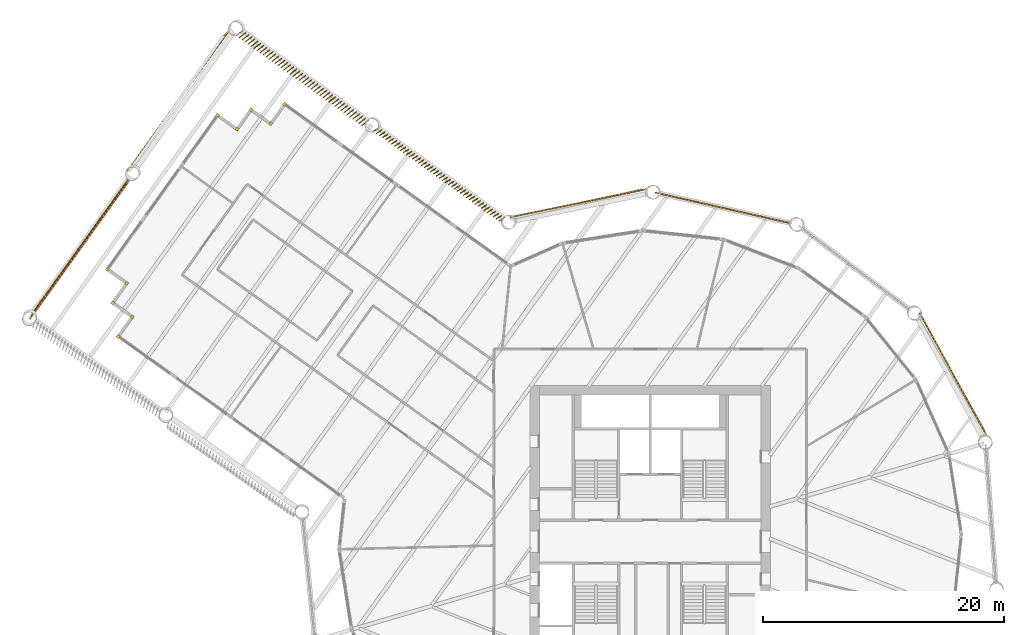
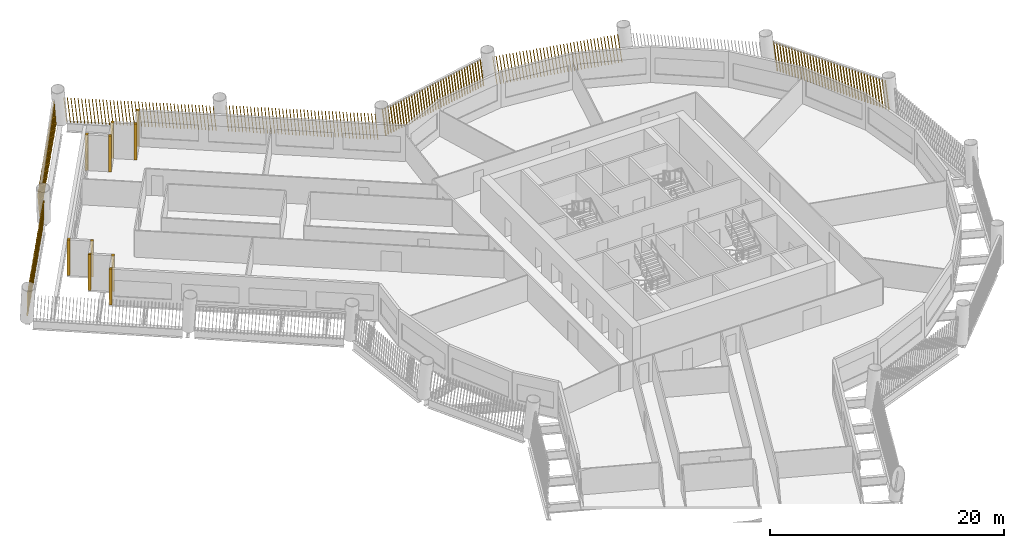
# One storey, part 15 of 17: 17 shading devices.
"""IFC4 building model written with IfcOpenShell, lengths in metres."""

from ifc_helpers import new_model, si_unit, direction, frame, frame_2d, origin, origin_2d, place, context, subcontext, project, spatial, rectangle, composite_profile, extrude, material, type_object, element, save


model = new_model("IFC4")

# Units and contexts
model_context = context("Model", 3, precision=1e-05, world=origin(), true_north=direction((0.0, 1.0)))
body_context = subcontext(model_context, "Body", "Model", "MODEL_VIEW")
ifc_project = project(units=[si_unit("LENGTHUNIT", "METRE"), si_unit("AREAUNIT", "SQUARE_METRE"), si_unit("VOLUMEUNIT", "CUBIC_METRE"), si_unit("PLANEANGLEUNIT", "RADIAN"), si_unit("MASSUNIT", "GRAM", prefix="KILO")], contexts=[model_context])

# Site, building, storey
site_placement = place(None, origin())
site = spatial("IfcSite", under=ifc_project, at=site_placement, CompositionType="ELEMENT")
building_placement = place(site_placement, origin())
building = spatial("IfcBuilding", under=site, at=building_placement, Name="Tarsis Ring Headquarters", CompositionType="ELEMENT")
storey_placement = place(building_placement, frame((0.0, 0.0, 127.89990234375)))
storey = spatial("IfcBuildingStorey", under=building, at=storey_placement, Name="L29", CompositionType="ELEMENT", Elevation=127.89990234375)

# Shading devices
ifc_material = material(Name="Terracotta baguette", Category="masonry")
shading_device_type_1 = type_object("IfcShadingDeviceType", Name="Terracotta baguette screen", PredefinedType="USERDEFINED", material=ifc_material)
shading_device_1_placement = place(storey_placement, frame((27.9599609375, 8.810302734375, 0.0), z_axis=(0.0, 0.0, 1.0), x_axis=(-0.477959848074, 0.878393922952, 0.0)))
element("IfcShadingDevice", 1, at=shading_device_1_placement, inside=storey, type_object=shading_device_type_1, Name="Baguette screen L29-11", ObjectType="Terracotta baguette screen", PredefinedType="USERDEFINED", context=body_context, shape_type="SweptSolid", body=[
    extrude(composite_profile([rectangle(XDim=0.06005859375, YDim=0.1201171875, at=frame_2d((0.030029296875, 0.0))), rectangle(XDim=0.06005859375, YDim=0.1201171875, at=frame_2d((0.33251953125, 0.0))), rectangle(XDim=0.06005859375, YDim=0.1201171875, at=frame_2d((0.634765625, 0.0))), rectangle(XDim=0.06005859375, YDim=0.1201171875, at=frame_2d((0.937255859375, 0.0))), rectangle(XDim=0.06005859375, YDim=0.1201171875, at=frame_2d((1.239501953125, 0.0))), rectangle(XDim=0.06005859375, YDim=0.1201171875, at=frame_2d((1.5419921875, 0.0))), rectangle(XDim=0.06005859375, YDim=0.1201171875, at=frame_2d((1.844482421875, 0.0))), rectangle(XDim=0.06005859375, YDim=0.1201171875, at=frame_2d((2.146728515625, 0.0))), rectangle(XDim=0.06005859375, YDim=0.1201171875, at=frame_2d((2.44921875, 0.0))), rectangle(XDim=0.06005859375, YDim=0.1201171875, at=frame_2d((2.751708984375, 0.0))), rectangle(XDim=0.06005859375, YDim=0.1201171875, at=frame_2d((3.053955078125, 0.0))), rectangle(XDim=0.06005859375, YDim=0.1201171875, at=frame_2d((3.3564453125, 0.0))), rectangle(XDim=0.06005859375, YDim=0.1201171875, at=frame_2d((3.65869140625, 0.0))), rectangle(XDim=0.06005859375, YDim=0.1201171875, at=frame_2d((3.961181640625, 0.0))), rectangle(XDim=0.06005859375, YDim=0.1201171875, at=frame_2d((4.263671875, 0.0))), rectangle(XDim=0.06005859375, YDim=0.1201171875, at=frame_2d((4.56591796875, 0.0))), rectangle(XDim=0.06005859375, YDim=0.1201171875, at=frame_2d((4.868408203125, 0.0))), rectangle(XDim=0.06005859375, YDim=0.1201171875, at=frame_2d((5.1708984375, 0.0))), rectangle(XDim=0.06005859375, YDim=0.1201171875, at=frame_2d((5.47314453125, 0.0))), rectangle(XDim=0.06005859375, YDim=0.1201171875, at=frame_2d((5.775634765625, 0.0))), rectangle(XDim=0.06005859375, YDim=0.1201171875, at=frame_2d((6.077880859375, 0.0))), rectangle(XDim=0.06005859375, YDim=0.1201171875, at=frame_2d((6.38037109375, 0.0))), rectangle(XDim=0.06005859375, YDim=0.1201171875, at=frame_2d((6.682861328125, 0.0))), rectangle(XDim=0.06005859375, YDim=0.1201171875, at=frame_2d((6.985107421875, 0.0))), rectangle(XDim=0.06005859375, YDim=0.1201171875, at=frame_2d((7.28759765625, 0.0))), rectangle(XDim=0.06005859375, YDim=0.1201171875, at=frame_2d((7.590087890625, 0.0))), rectangle(XDim=0.06005859375, YDim=0.1201171875, at=frame_2d((7.892333984375, 0.0))), rectangle(XDim=0.06005859375, YDim=0.1201171875, at=frame_2d((8.19482421875, 0.0))), rectangle(XDim=0.06005859375, YDim=0.1201171875, at=frame_2d((8.4970703125, 0.0))), rectangle(XDim=0.06005859375, YDim=0.1201171875, at=frame_2d((8.799560546875, 0.0))), rectangle(XDim=0.06005859375, YDim=0.1201171875, at=frame_2d((9.10205078125, 0.0))), rectangle(XDim=0.06005859375, YDim=0.1201171875, at=frame_2d((9.404296875, 0.0))), rectangle(XDim=0.06005859375, YDim=0.1201171875, at=frame_2d((9.706787109375, 0.0))), rectangle(XDim=0.06005859375, YDim=0.1201171875, at=frame_2d((10.00927734375, 0.0))), rectangle(XDim=0.06005859375, YDim=0.1201171875, at=frame_2d((10.3115234375, 0.0))), rectangle(XDim=0.06005859375, YDim=0.1201171875, at=frame_2d((10.614013671875, 0.0))), rectangle(XDim=0.06005859375, YDim=0.1201171875, at=frame_2d((10.916259765625, 0.0))), rectangle(XDim=0.06005859375, YDim=0.1201171875, at=frame_2d((11.21875, 0.0)))]), origin(), (0.131496688857, 0.000893572743, 0.991316207044), 2.978515625),
])
shading_device_2_placement = place(storey_placement, frame((11.759033203125, 26.451171875, 0.0), z_axis=(0.0, 0.0, 1.0), x_axis=(-0.97527997222, 0.220939317649, 0.0)))
element("IfcShadingDevice", 2, at=shading_device_2_placement, inside=storey, type_object=shading_device_type_1, Name="Baguette screen L29-13", ObjectType="Terracotta baguette screen", PredefinedType="USERDEFINED", context=body_context, shape_type="SweptSolid", body=[
    extrude(composite_profile([rectangle(XDim=0.06005859375, YDim=0.1201171875, at=frame_2d((0.030029296875, 0.0))), rectangle(XDim=0.06005859375, YDim=0.1201171875, at=frame_2d((0.33251953125, 0.0))), rectangle(XDim=0.06005859375, YDim=0.1201171875, at=frame_2d((0.634765625, 0.0))), rectangle(XDim=0.06005859375, YDim=0.1201171875, at=frame_2d((0.937255859375, 0.0))), rectangle(XDim=0.06005859375, YDim=0.1201171875, at=frame_2d((1.239501953125, 0.0))), rectangle(XDim=0.06005859375, YDim=0.1201171875, at=frame_2d((1.5419921875, 0.0))), rectangle(XDim=0.06005859375, YDim=0.1201171875, at=frame_2d((1.844482421875, 0.0))), rectangle(XDim=0.06005859375, YDim=0.1201171875, at=frame_2d((2.146728515625, 0.0))), rectangle(XDim=0.06005859375, YDim=0.1201171875, at=frame_2d((2.44921875, 0.0))), rectangle(XDim=0.06005859375, YDim=0.1201171875, at=frame_2d((2.751708984375, 0.0))), rectangle(XDim=0.06005859375, YDim=0.1201171875, at=frame_2d((3.053955078125, 0.0))), rectangle(XDim=0.06005859375, YDim=0.1201171875, at=frame_2d((3.3564453125, 0.0))), rectangle(XDim=0.06005859375, YDim=0.1201171875, at=frame_2d((3.65869140625, 0.0))), rectangle(XDim=0.06005859375, YDim=0.1201171875, at=frame_2d((3.961181640625, 0.0))), rectangle(XDim=0.06005859375, YDim=0.1201171875, at=frame_2d((4.263671875, 0.0))), rectangle(XDim=0.06005859375, YDim=0.1201171875, at=frame_2d((4.56591796875, 0.0))), rectangle(XDim=0.06005859375, YDim=0.1201171875, at=frame_2d((4.868408203125, 0.0))), rectangle(XDim=0.06005859375, YDim=0.1201171875, at=frame_2d((5.1708984375, 0.0))), rectangle(XDim=0.06005859375, YDim=0.1201171875, at=frame_2d((5.47314453125, 0.0))), rectangle(XDim=0.06005859375, YDim=0.1201171875, at=frame_2d((5.775634765625, 0.0))), rectangle(XDim=0.06005859375, YDim=0.1201171875, at=frame_2d((6.077880859375, 0.0))), rectangle(XDim=0.06005859375, YDim=0.1201171875, at=frame_2d((6.38037109375, 0.0))), rectangle(XDim=0.06005859375, YDim=0.1201171875, at=frame_2d((6.682861328125, 0.0))), rectangle(XDim=0.06005859375, YDim=0.1201171875, at=frame_2d((6.985107421875, 0.0))), rectangle(XDim=0.06005859375, YDim=0.1201171875, at=frame_2d((7.28759765625, 0.0))), rectangle(XDim=0.06005859375, YDim=0.1201171875, at=frame_2d((7.590087890625, 0.0))), rectangle(XDim=0.06005859375, YDim=0.1201171875, at=frame_2d((7.892333984375, 0.0))), rectangle(XDim=0.06005859375, YDim=0.1201171875, at=frame_2d((8.19482421875, 0.0))), rectangle(XDim=0.06005859375, YDim=0.1201171875, at=frame_2d((8.4970703125, 0.0))), rectangle(XDim=0.06005859375, YDim=0.1201171875, at=frame_2d((8.799560546875, 0.0))), rectangle(XDim=0.06005859375, YDim=0.1201171875, at=frame_2d((9.10205078125, 0.0))), rectangle(XDim=0.06005859375, YDim=0.1201171875, at=frame_2d((9.404296875, 0.0))), rectangle(XDim=0.06005859375, YDim=0.1201171875, at=frame_2d((9.706787109375, 0.0))), rectangle(XDim=0.06005859375, YDim=0.1201171875, at=frame_2d((10.00927734375, 0.0))), rectangle(XDim=0.06005859375, YDim=0.1201171875, at=frame_2d((10.3115234375, 0.0))), rectangle(XDim=0.06005859375, YDim=0.1201171875, at=frame_2d((10.614013671875, 0.0))), rectangle(XDim=0.06005859375, YDim=0.1201171875, at=frame_2d((10.916259765625, 0.0))), rectangle(XDim=0.06005859375, YDim=0.1201171875, at=frame_2d((11.21875, 0.0)))]), origin(), (0.12980910908, 0.000884675992, 0.991538608703), 2.977783203125),
])
shading_device_3_placement = place(storey_placement, frame((-0.2646484375, 29.31396484375, 0.0), z_axis=(0.0, 0.0, 1.0), x_axis=(-0.979642330063, -0.20071186735, 0.0)))
element("IfcShadingDevice", 3, at=shading_device_3_placement, inside=storey, type_object=shading_device_type_1, Name="Baguette screen L29-14", ObjectType="Terracotta baguette screen", PredefinedType="USERDEFINED", context=body_context, shape_type="SweptSolid", body=[
    extrude(composite_profile([rectangle(XDim=0.06005859375, YDim=0.1201171875, at=frame_2d((0.030029296875, 0.0))), rectangle(XDim=0.06005859375, YDim=0.1201171875, at=frame_2d((0.33251953125, 0.0))), rectangle(XDim=0.06005859375, YDim=0.1201171875, at=frame_2d((0.634765625, 0.0))), rectangle(XDim=0.06005859375, YDim=0.1201171875, at=frame_2d((0.937255859375, 0.0))), rectangle(XDim=0.06005859375, YDim=0.1201171875, at=frame_2d((1.239501953125, 0.0))), rectangle(XDim=0.06005859375, YDim=0.1201171875, at=frame_2d((1.5419921875, 0.0))), rectangle(XDim=0.06005859375, YDim=0.1201171875, at=frame_2d((1.844482421875, 0.0))), rectangle(XDim=0.06005859375, YDim=0.1201171875, at=frame_2d((2.146728515625, 0.0))), rectangle(XDim=0.06005859375, YDim=0.1201171875, at=frame_2d((2.44921875, 0.0))), rectangle(XDim=0.06005859375, YDim=0.1201171875, at=frame_2d((2.751708984375, 0.0))), rectangle(XDim=0.06005859375, YDim=0.1201171875, at=frame_2d((3.053955078125, 0.0))), rectangle(XDim=0.06005859375, YDim=0.1201171875, at=frame_2d((3.3564453125, 0.0))), rectangle(XDim=0.06005859375, YDim=0.1201171875, at=frame_2d((3.65869140625, 0.0))), rectangle(XDim=0.06005859375, YDim=0.1201171875, at=frame_2d((3.961181640625, 0.0))), rectangle(XDim=0.06005859375, YDim=0.1201171875, at=frame_2d((4.263671875, 0.0))), rectangle(XDim=0.06005859375, YDim=0.1201171875, at=frame_2d((4.56591796875, 0.0))), rectangle(XDim=0.06005859375, YDim=0.1201171875, at=frame_2d((4.868408203125, 0.0))), rectangle(XDim=0.06005859375, YDim=0.1201171875, at=frame_2d((5.1708984375, 0.0))), rectangle(XDim=0.06005859375, YDim=0.1201171875, at=frame_2d((5.47314453125, 0.0))), rectangle(XDim=0.06005859375, YDim=0.1201171875, at=frame_2d((5.775634765625, 0.0))), rectangle(XDim=0.06005859375, YDim=0.1201171875, at=frame_2d((6.077880859375, 0.0))), rectangle(XDim=0.06005859375, YDim=0.1201171875, at=frame_2d((6.38037109375, 0.0))), rectangle(XDim=0.06005859375, YDim=0.1201171875, at=frame_2d((6.682861328125, 0.0))), rectangle(XDim=0.06005859375, YDim=0.1201171875, at=frame_2d((6.985107421875, 0.0))), rectangle(XDim=0.06005859375, YDim=0.1201171875, at=frame_2d((7.28759765625, 0.0))), rectangle(XDim=0.06005859375, YDim=0.1201171875, at=frame_2d((7.590087890625, 0.0))), rectangle(XDim=0.06005859375, YDim=0.1201171875, at=frame_2d((7.892333984375, 0.0))), rectangle(XDim=0.06005859375, YDim=0.1201171875, at=frame_2d((8.19482421875, 0.0))), rectangle(XDim=0.06005859375, YDim=0.1201171875, at=frame_2d((8.4970703125, 0.0))), rectangle(XDim=0.06005859375, YDim=0.1201171875, at=frame_2d((8.799560546875, 0.0))), rectangle(XDim=0.06005859375, YDim=0.1201171875, at=frame_2d((9.10205078125, 0.0))), rectangle(XDim=0.06005859375, YDim=0.1201171875, at=frame_2d((9.404296875, 0.0))), rectangle(XDim=0.06005859375, YDim=0.1201171875, at=frame_2d((9.706787109375, 0.0))), rectangle(XDim=0.06005859375, YDim=0.1201171875, at=frame_2d((10.00927734375, 0.0))), rectangle(XDim=0.06005859375, YDim=0.1201171875, at=frame_2d((10.3115234375, 0.0))), rectangle(XDim=0.06005859375, YDim=0.1201171875, at=frame_2d((10.614013671875, 0.0))), rectangle(XDim=0.06005859375, YDim=0.1201171875, at=frame_2d((10.916259765625, 0.0))), rectangle(XDim=0.06005859375, YDim=0.1201171875, at=frame_2d((11.21875, 0.0)))]), origin(), (0.131493806726, 0.000895194004, 0.991316587887), 2.978515625),
])
shading_device_4_placement = place(storey_placement, frame((-12.105712890625, 26.879638671875, 0.0), z_axis=(0.0, 0.0, 1.0), x_axis=(-0.812893825572, 0.582417166537, 0.0)))
element("IfcShadingDevice", 4, at=shading_device_4_placement, inside=storey, type_object=shading_device_type_1, Name="Baguette screen L29-15", ObjectType="Terracotta baguette screen", PredefinedType="USERDEFINED", context=body_context, shape_type="SweptSolid", body=[
    extrude(composite_profile([rectangle(XDim=0.06005859375, YDim=0.1201171875, at=frame_2d((0.030029296875, 0.0))), rectangle(XDim=0.06005859375, YDim=0.1201171875, at=frame_2d((0.335693359375, 0.0))), rectangle(XDim=0.06005859375, YDim=0.1201171875, at=frame_2d((0.6416015625, 0.0))), rectangle(XDim=0.06005859375, YDim=0.1201171875, at=frame_2d((0.947265625, 0.0))), rectangle(XDim=0.06005859375, YDim=0.1201171875, at=frame_2d((1.253173828125, 0.0))), rectangle(XDim=0.06005859375, YDim=0.1201171875, at=frame_2d((1.558837890625, 0.0))), rectangle(XDim=0.06005859375, YDim=0.1201171875, at=frame_2d((1.864501953125, 0.0))), rectangle(XDim=0.06005859375, YDim=0.1201171875, at=frame_2d((2.17041015625, 0.0))), rectangle(XDim=0.06005859375, YDim=0.1201171875, at=frame_2d((2.47607421875, 0.0))), rectangle(XDim=0.06005859375, YDim=0.1201171875, at=frame_2d((2.781982421875, 0.0))), rectangle(XDim=0.06005859375, YDim=0.1201171875, at=frame_2d((3.087646484375, 0.0))), rectangle(XDim=0.06005859375, YDim=0.1201171875, at=frame_2d((3.393310546875, 0.0))), rectangle(XDim=0.06005859375, YDim=0.1201171875, at=frame_2d((3.69921875, 0.0))), rectangle(XDim=0.06005859375, YDim=0.1201171875, at=frame_2d((4.0048828125, 0.0))), rectangle(XDim=0.06005859375, YDim=0.1201171875, at=frame_2d((4.310791015625, 0.0))), rectangle(XDim=0.06005859375, YDim=0.1201171875, at=frame_2d((4.616455078125, 0.0))), rectangle(XDim=0.06005859375, YDim=0.1201171875, at=frame_2d((4.922119140625, 0.0))), rectangle(XDim=0.06005859375, YDim=0.1201171875, at=frame_2d((5.22802734375, 0.0))), rectangle(XDim=0.06005859375, YDim=0.1201171875, at=frame_2d((5.53369140625, 0.0))), rectangle(XDim=0.06005859375, YDim=0.1201171875, at=frame_2d((5.839599609375, 0.0))), rectangle(XDim=0.06005859375, YDim=0.1201171875, at=frame_2d((6.145263671875, 0.0))), rectangle(XDim=0.06005859375, YDim=0.1201171875, at=frame_2d((6.451171875, 0.0))), rectangle(XDim=0.06005859375, YDim=0.1201171875, at=frame_2d((6.7568359375, 0.0))), rectangle(XDim=0.06005859375, YDim=0.1201171875, at=frame_2d((7.0625, 0.0))), rectangle(XDim=0.06005859375, YDim=0.1201171875, at=frame_2d((7.368408203125, 0.0))), rectangle(XDim=0.06005859375, YDim=0.1201171875, at=frame_2d((7.674072265625, 0.0))), rectangle(XDim=0.06005859375, YDim=0.1201171875, at=frame_2d((7.97998046875, 0.0))), rectangle(XDim=0.06005859375, YDim=0.1201171875, at=frame_2d((8.28564453125, 0.0))), rectangle(XDim=0.06005859375, YDim=0.1201171875, at=frame_2d((8.59130859375, 0.0))), rectangle(XDim=0.06005859375, YDim=0.1201171875, at=frame_2d((8.897216796875, 0.0))), rectangle(XDim=0.06005859375, YDim=0.1201171875, at=frame_2d((9.202880859375, 0.0))), rectangle(XDim=0.06005859375, YDim=0.1201171875, at=frame_2d((9.5087890625, 0.0))), rectangle(XDim=0.06005859375, YDim=0.1201171875, at=frame_2d((9.814453125, 0.0))), rectangle(XDim=0.06005859375, YDim=0.1201171875, at=frame_2d((10.1201171875, 0.0))), rectangle(XDim=0.06005859375, YDim=0.1201171875, at=frame_2d((10.426025390625, 0.0))), rectangle(XDim=0.06005859375, YDim=0.1201171875, at=frame_2d((10.731689453125, 0.0))), rectangle(XDim=0.06005859375, YDim=0.1201171875, at=frame_2d((11.03759765625, 0.0))), rectangle(XDim=0.06005859375, YDim=0.1201171875, at=frame_2d((11.34326171875, 0.0))), rectangle(XDim=0.06005859375, YDim=0.1201171875, at=frame_2d((11.64892578125, 0.0))), rectangle(XDim=0.06005859375, YDim=0.1201171875, at=frame_2d((11.954833984375, 0.0))), rectangle(XDim=0.06005859375, YDim=0.1201171875, at=frame_2d((12.260498046875, 0.0))), rectangle(XDim=0.06005859375, YDim=0.1201171875, at=frame_2d((12.56640625, 0.0))), rectangle(XDim=0.06005859375, YDim=0.1201171875, at=frame_2d((12.8720703125, 0.0)))]), origin(), (0.066362902693, 0.145846573653, 0.987078893554), 2.9912109375),
])
shading_device_5_placement = place(storey_placement, frame((-23.40673828125, 34.976318359375, 0.0), z_axis=(0.0, 0.0, 1.0), x_axis=(-0.812897366031, 0.582406145928, 0.0)))
element("IfcShadingDevice", 5, at=shading_device_5_placement, inside=storey, type_object=shading_device_type_1, Name="Baguette screen L29-16", ObjectType="Terracotta baguette screen", PredefinedType="USERDEFINED", context=body_context, shape_type="SweptSolid", body=[
    extrude(composite_profile([rectangle(XDim=0.06005859375, YDim=0.1201171875, at=frame_2d((0.030029296875, 0.0))), rectangle(XDim=0.06005859375, YDim=0.1201171875, at=frame_2d((0.335693359375, 0.0))), rectangle(XDim=0.06005859375, YDim=0.1201171875, at=frame_2d((0.6416015625, 0.0))), rectangle(XDim=0.06005859375, YDim=0.1201171875, at=frame_2d((0.947265625, 0.0))), rectangle(XDim=0.06005859375, YDim=0.1201171875, at=frame_2d((1.253173828125, 0.0))), rectangle(XDim=0.06005859375, YDim=0.1201171875, at=frame_2d((1.558837890625, 0.0))), rectangle(XDim=0.06005859375, YDim=0.1201171875, at=frame_2d((1.864501953125, 0.0))), rectangle(XDim=0.06005859375, YDim=0.1201171875, at=frame_2d((2.17041015625, 0.0))), rectangle(XDim=0.06005859375, YDim=0.1201171875, at=frame_2d((2.47607421875, 0.0))), rectangle(XDim=0.06005859375, YDim=0.1201171875, at=frame_2d((2.781982421875, 0.0))), rectangle(XDim=0.06005859375, YDim=0.1201171875, at=frame_2d((3.087646484375, 0.0))), rectangle(XDim=0.06005859375, YDim=0.1201171875, at=frame_2d((3.393310546875, 0.0))), rectangle(XDim=0.06005859375, YDim=0.1201171875, at=frame_2d((3.69921875, 0.0))), rectangle(XDim=0.06005859375, YDim=0.1201171875, at=frame_2d((4.0048828125, 0.0))), rectangle(XDim=0.06005859375, YDim=0.1201171875, at=frame_2d((4.310791015625, 0.0))), rectangle(XDim=0.06005859375, YDim=0.1201171875, at=frame_2d((4.616455078125, 0.0))), rectangle(XDim=0.06005859375, YDim=0.1201171875, at=frame_2d((4.922119140625, 0.0))), rectangle(XDim=0.06005859375, YDim=0.1201171875, at=frame_2d((5.22802734375, 0.0))), rectangle(XDim=0.06005859375, YDim=0.1201171875, at=frame_2d((5.53369140625, 0.0))), rectangle(XDim=0.06005859375, YDim=0.1201171875, at=frame_2d((5.839599609375, 0.0))), rectangle(XDim=0.06005859375, YDim=0.1201171875, at=frame_2d((6.145263671875, 0.0))), rectangle(XDim=0.06005859375, YDim=0.1201171875, at=frame_2d((6.451171875, 0.0))), rectangle(XDim=0.06005859375, YDim=0.1201171875, at=frame_2d((6.7568359375, 0.0))), rectangle(XDim=0.06005859375, YDim=0.1201171875, at=frame_2d((7.0625, 0.0))), rectangle(XDim=0.06005859375, YDim=0.1201171875, at=frame_2d((7.368408203125, 0.0))), rectangle(XDim=0.06005859375, YDim=0.1201171875, at=frame_2d((7.674072265625, 0.0))), rectangle(XDim=0.06005859375, YDim=0.1201171875, at=frame_2d((7.97998046875, 0.0))), rectangle(XDim=0.06005859375, YDim=0.1201171875, at=frame_2d((8.28564453125, 0.0))), rectangle(XDim=0.06005859375, YDim=0.1201171875, at=frame_2d((8.59130859375, 0.0))), rectangle(XDim=0.06005859375, YDim=0.1201171875, at=frame_2d((8.897216796875, 0.0))), rectangle(XDim=0.06005859375, YDim=0.1201171875, at=frame_2d((9.202880859375, 0.0))), rectangle(XDim=0.06005859375, YDim=0.1201171875, at=frame_2d((9.5087890625, 0.0))), rectangle(XDim=0.06005859375, YDim=0.1201171875, at=frame_2d((9.814453125, 0.0))), rectangle(XDim=0.06005859375, YDim=0.1201171875, at=frame_2d((10.1201171875, 0.0))), rectangle(XDim=0.06005859375, YDim=0.1201171875, at=frame_2d((10.426025390625, 0.0))), rectangle(XDim=0.06005859375, YDim=0.1201171875, at=frame_2d((10.731689453125, 0.0))), rectangle(XDim=0.06005859375, YDim=0.1201171875, at=frame_2d((11.03759765625, 0.0))), rectangle(XDim=0.06005859375, YDim=0.1201171875, at=frame_2d((11.34326171875, 0.0))), rectangle(XDim=0.06005859375, YDim=0.1201171875, at=frame_2d((11.64892578125, 0.0))), rectangle(XDim=0.06005859375, YDim=0.1201171875, at=frame_2d((11.954833984375, 0.0))), rectangle(XDim=0.06005859375, YDim=0.1201171875, at=frame_2d((12.260498046875, 0.0))), rectangle(XDim=0.06005859375, YDim=0.1201171875, at=frame_2d((12.56640625, 0.0))), rectangle(XDim=0.06005859375, YDim=0.1201171875, at=frame_2d((12.8720703125, 0.0)))]), origin(), (0.065207258532, 0.206809995988, 0.976205735997), 3.024658203125),
])
shading_device_6_placement = place(storey_placement, frame((-34.8974609375, 42.593994140625, 0.0), z_axis=(0.0, 0.0, 1.0), x_axis=(-0.582397169394, -0.812896948253, 0.0)))
element("IfcShadingDevice", 6, at=shading_device_6_placement, inside=storey, type_object=shading_device_type_1, Name="Baguette screen L29-17", ObjectType="Terracotta baguette screen", PredefinedType="USERDEFINED", context=body_context, shape_type="SweptSolid", body=[
    extrude(composite_profile([rectangle(XDim=0.06005859375, YDim=0.1201171875, at=frame_2d((0.030029296875, 0.0))), rectangle(XDim=0.06005859375, YDim=0.1201171875, at=frame_2d((0.33544921875, 0.0))), rectangle(XDim=0.06005859375, YDim=0.1201171875, at=frame_2d((0.640625, 0.0))), rectangle(XDim=0.06005859375, YDim=0.1201171875, at=frame_2d((0.946044921875, 0.0))), rectangle(XDim=0.06005859375, YDim=0.1201171875, at=frame_2d((1.25146484375, 0.0))), rectangle(XDim=0.06005859375, YDim=0.1201171875, at=frame_2d((1.556640625, 0.0))), rectangle(XDim=0.06005859375, YDim=0.1201171875, at=frame_2d((1.862060546875, 0.0))), rectangle(XDim=0.06005859375, YDim=0.1201171875, at=frame_2d((2.16748046875, 0.0))), rectangle(XDim=0.06005859375, YDim=0.1201171875, at=frame_2d((2.47265625, 0.0))), rectangle(XDim=0.06005859375, YDim=0.1201171875, at=frame_2d((2.778076171875, 0.0))), rectangle(XDim=0.06005859375, YDim=0.1201171875, at=frame_2d((3.08349609375, 0.0))), rectangle(XDim=0.06005859375, YDim=0.1201171875, at=frame_2d((3.388671875, 0.0))), rectangle(XDim=0.06005859375, YDim=0.1201171875, at=frame_2d((3.694091796875, 0.0))), rectangle(XDim=0.06005859375, YDim=0.1201171875, at=frame_2d((3.99951171875, 0.0))), rectangle(XDim=0.06005859375, YDim=0.1201171875, at=frame_2d((4.3046875, 0.0))), rectangle(XDim=0.06005859375, YDim=0.1201171875, at=frame_2d((4.610107421875, 0.0))), rectangle(XDim=0.06005859375, YDim=0.1201171875, at=frame_2d((4.91552734375, 0.0))), rectangle(XDim=0.06005859375, YDim=0.1201171875, at=frame_2d((5.220703125, 0.0))), rectangle(XDim=0.06005859375, YDim=0.1201171875, at=frame_2d((5.526123046875, 0.0))), rectangle(XDim=0.06005859375, YDim=0.1201171875, at=frame_2d((5.83154296875, 0.0))), rectangle(XDim=0.06005859375, YDim=0.1201171875, at=frame_2d((6.13671875, 0.0))), rectangle(XDim=0.06005859375, YDim=0.1201171875, at=frame_2d((6.442138671875, 0.0))), rectangle(XDim=0.06005859375, YDim=0.1201171875, at=frame_2d((6.74755859375, 0.0))), rectangle(XDim=0.06005859375, YDim=0.1201171875, at=frame_2d((7.052734375, 0.0))), rectangle(XDim=0.06005859375, YDim=0.1201171875, at=frame_2d((7.358154296875, 0.0))), rectangle(XDim=0.06005859375, YDim=0.1201171875, at=frame_2d((7.66357421875, 0.0))), rectangle(XDim=0.06005859375, YDim=0.1201171875, at=frame_2d((7.96875, 0.0))), rectangle(XDim=0.06005859375, YDim=0.1201171875, at=frame_2d((8.274169921875, 0.0))), rectangle(XDim=0.06005859375, YDim=0.1201171875, at=frame_2d((8.57958984375, 0.0))), rectangle(XDim=0.06005859375, YDim=0.1201171875, at=frame_2d((8.884765625, 0.0))), rectangle(XDim=0.06005859375, YDim=0.1201171875, at=frame_2d((9.190185546875, 0.0))), rectangle(XDim=0.06005859375, YDim=0.1201171875, at=frame_2d((9.49560546875, 0.0))), rectangle(XDim=0.06005859375, YDim=0.1201171875, at=frame_2d((9.80078125, 0.0))), rectangle(XDim=0.06005859375, YDim=0.1201171875, at=frame_2d((10.106201171875, 0.0))), rectangle(XDim=0.06005859375, YDim=0.1201171875, at=frame_2d((10.41162109375, 0.0))), rectangle(XDim=0.06005859375, YDim=0.1201171875, at=frame_2d((10.716796875, 0.0))), rectangle(XDim=0.06005859375, YDim=0.1201171875, at=frame_2d((11.022216796875, 0.0))), rectangle(XDim=0.06005859375, YDim=0.1201171875, at=frame_2d((11.32763671875, 0.0))), rectangle(XDim=0.06005859375, YDim=0.1201171875, at=frame_2d((11.6328125, 0.0))), rectangle(XDim=0.06005859375, YDim=0.1201171875, at=frame_2d((11.938232421875, 0.0))), rectangle(XDim=0.06005859375, YDim=0.1201171875, at=frame_2d((12.24365234375, 0.0))), rectangle(XDim=0.06005859375, YDim=0.1201171875, at=frame_2d((12.548828125, 0.0))), rectangle(XDim=0.06005859375, YDim=0.1201171875, at=frame_2d((12.854248046875, 0.0))), rectangle(XDim=0.06005859375, YDim=0.1201171875, at=frame_2d((13.15966796875, 0.0))), rectangle(XDim=0.06005859375, YDim=0.1201171875, at=frame_2d((13.46484375, 0.0))), rectangle(XDim=0.06005859375, YDim=0.1201171875, at=frame_2d((13.770263671875, 0.0)))]), origin(), (0.238204879701, -0.031499987791, 0.97070396417), 3.041748046875),
])
shading_device_7_placement = place(storey_placement, frame((-43.212158203125, 30.3447265625, 0.0), z_axis=(0.0, 0.0, 1.0), x_axis=(-0.582414860681, -0.812896948253, 0.0)))
element("IfcShadingDevice", 7, at=shading_device_7_placement, inside=storey, type_object=shading_device_type_1, Name="Baguette screen L29-18", ObjectType="Terracotta baguette screen", PredefinedType="USERDEFINED", context=body_context, shape_type="SweptSolid", body=[
    extrude(composite_profile([rectangle(XDim=0.06005859375, YDim=0.1201171875, at=frame_2d((0.030029296875, 0.0))), rectangle(XDim=0.06005859375, YDim=0.1201171875, at=frame_2d((0.33544921875, 0.0))), rectangle(XDim=0.06005859375, YDim=0.1201171875, at=frame_2d((0.640625, 0.0))), rectangle(XDim=0.06005859375, YDim=0.1201171875, at=frame_2d((0.946044921875, 0.0))), rectangle(XDim=0.06005859375, YDim=0.1201171875, at=frame_2d((1.25146484375, 0.0))), rectangle(XDim=0.06005859375, YDim=0.1201171875, at=frame_2d((1.556640625, 0.0))), rectangle(XDim=0.06005859375, YDim=0.1201171875, at=frame_2d((1.862060546875, 0.0))), rectangle(XDim=0.06005859375, YDim=0.1201171875, at=frame_2d((2.16748046875, 0.0))), rectangle(XDim=0.06005859375, YDim=0.1201171875, at=frame_2d((2.47265625, 0.0))), rectangle(XDim=0.06005859375, YDim=0.1201171875, at=frame_2d((2.778076171875, 0.0))), rectangle(XDim=0.06005859375, YDim=0.1201171875, at=frame_2d((3.08349609375, 0.0))), rectangle(XDim=0.06005859375, YDim=0.1201171875, at=frame_2d((3.388671875, 0.0))), rectangle(XDim=0.06005859375, YDim=0.1201171875, at=frame_2d((3.694091796875, 0.0))), rectangle(XDim=0.06005859375, YDim=0.1201171875, at=frame_2d((3.99951171875, 0.0))), rectangle(XDim=0.06005859375, YDim=0.1201171875, at=frame_2d((4.3046875, 0.0))), rectangle(XDim=0.06005859375, YDim=0.1201171875, at=frame_2d((4.610107421875, 0.0))), rectangle(XDim=0.06005859375, YDim=0.1201171875, at=frame_2d((4.91552734375, 0.0))), rectangle(XDim=0.06005859375, YDim=0.1201171875, at=frame_2d((5.220703125, 0.0))), rectangle(XDim=0.06005859375, YDim=0.1201171875, at=frame_2d((5.526123046875, 0.0))), rectangle(XDim=0.06005859375, YDim=0.1201171875, at=frame_2d((5.83154296875, 0.0))), rectangle(XDim=0.06005859375, YDim=0.1201171875, at=frame_2d((6.13671875, 0.0))), rectangle(XDim=0.06005859375, YDim=0.1201171875, at=frame_2d((6.442138671875, 0.0))), rectangle(XDim=0.06005859375, YDim=0.1201171875, at=frame_2d((6.74755859375, 0.0))), rectangle(XDim=0.06005859375, YDim=0.1201171875, at=frame_2d((7.052734375, 0.0))), rectangle(XDim=0.06005859375, YDim=0.1201171875, at=frame_2d((7.358154296875, 0.0))), rectangle(XDim=0.06005859375, YDim=0.1201171875, at=frame_2d((7.66357421875, 0.0))), rectangle(XDim=0.06005859375, YDim=0.1201171875, at=frame_2d((7.96875, 0.0))), rectangle(XDim=0.06005859375, YDim=0.1201171875, at=frame_2d((8.274169921875, 0.0))), rectangle(XDim=0.06005859375, YDim=0.1201171875, at=frame_2d((8.57958984375, 0.0))), rectangle(XDim=0.06005859375, YDim=0.1201171875, at=frame_2d((8.884765625, 0.0))), rectangle(XDim=0.06005859375, YDim=0.1201171875, at=frame_2d((9.190185546875, 0.0))), rectangle(XDim=0.06005859375, YDim=0.1201171875, at=frame_2d((9.49560546875, 0.0))), rectangle(XDim=0.06005859375, YDim=0.1201171875, at=frame_2d((9.80078125, 0.0))), rectangle(XDim=0.06005859375, YDim=0.1201171875, at=frame_2d((10.106201171875, 0.0))), rectangle(XDim=0.06005859375, YDim=0.1201171875, at=frame_2d((10.41162109375, 0.0))), rectangle(XDim=0.06005859375, YDim=0.1201171875, at=frame_2d((10.716796875, 0.0))), rectangle(XDim=0.06005859375, YDim=0.1201171875, at=frame_2d((11.022216796875, 0.0))), rectangle(XDim=0.06005859375, YDim=0.1201171875, at=frame_2d((11.32763671875, 0.0))), rectangle(XDim=0.06005859375, YDim=0.1201171875, at=frame_2d((11.6328125, 0.0))), rectangle(XDim=0.06005859375, YDim=0.1201171875, at=frame_2d((11.938232421875, 0.0))), rectangle(XDim=0.06005859375, YDim=0.1201171875, at=frame_2d((12.24365234375, 0.0))), rectangle(XDim=0.06005859375, YDim=0.1201171875, at=frame_2d((12.548828125, 0.0))), rectangle(XDim=0.06005859375, YDim=0.1201171875, at=frame_2d((12.854248046875, 0.0))), rectangle(XDim=0.06005859375, YDim=0.1201171875, at=frame_2d((13.15966796875, 0.0))), rectangle(XDim=0.06005859375, YDim=0.1201171875, at=frame_2d((13.46484375, 0.0))), rectangle(XDim=0.06005859375, YDim=0.1201171875, at=frame_2d((13.770263671875, 0.0)))]), origin(), (0.236172183242, 0.034742398657, 0.971089936926), 3.04052734375),
])
shading_device_type_2 = type_object("IfcShadingDeviceType", Name="Terracotta corner baguette 250x250", PredefinedType="USERDEFINED", material=ifc_material)
for number, where, z_axis, x_axis, name in (
    (8, (-44.207763671875, 17.064697265625, 0.0), (0.0, 0.0, 1.0), (-0.582406930648, -0.812897390286, 0.0), "Corner baguette L29-01"),
    (9, (-30.37548828125, 36.37109375, 0.0), (0.0, 0.0, 1.0), (-0.812897532594, 0.58240673202, 0.0), "Corner baguette L29-32"),
    (10, (-31.54052734375, 34.745361328125, 0.0), (0.0, 0.0, 1.0), (-0.582406590142, -0.812897634244, 0.0), "Corner baguette L29-33"),
    (11, (-33.166259765625, 35.91015625, 0.0), (0.0, 0.0, 1.0), (-0.812897390286, 0.582406930648, 0.0), "Corner baguette L29-34"),
    (12, (-34.3310546875, 34.2841796875, 0.0), (0.0, 0.0, 1.0), (-0.582406930648, -0.812897390286, 0.0), "Corner baguette L29-35"),
    (13, (-35.956787109375, 35.44921875, 0.0), (0.0, 0.0, 1.0), (-0.812897634244, 0.582406590142, 0.0), "Corner baguette L29-36"),
    (14, (-45.129638671875, 22.64599609375, 0.0), (0.0, 0.0, 1.0), (-0.582406760395, -0.812897512265, 0.0), "Corner baguette L29-37"),
    (15, (-43.50390625, 21.481201171875, 0.0), (0.0, 0.0, 1.0), (0.812897390286, -0.582406930648, 0.0), "Corner baguette L29-38"),
    (16, (-44.668701171875, 19.85546875, 0.0), (0.0, 0.0, 1.0), (-0.582406590142, -0.812897634244, 0.0), "Corner baguette L29-39"),
    (17, (-43.04296875, 18.6904296875, 0.0), (0.0, 0.0, 1.0), (0.812897634244, -0.582406590142, 0.0), "Corner baguette L29-40"),
):
    element("IfcShadingDevice", number, at=place(storey_placement, frame(where, z_axis=z_axis, x_axis=x_axis)), inside=storey, type_object=shading_device_type_2, Name=name, ObjectType="Terracotta corner baguette", PredefinedType="USERDEFINED", context=body_context, shape_type="SweptSolid", body=[
        extrude(rectangle(XDim=0.25, YDim=0.25, at=origin_2d()), origin(), (0.0, 0.0, 1.0), 3.739990234375),
    ])

save(model, "model.ifc")
